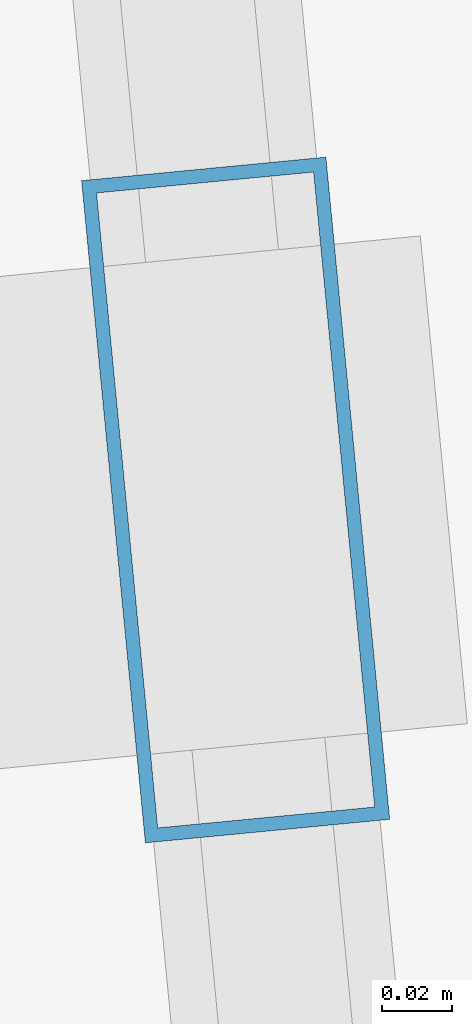
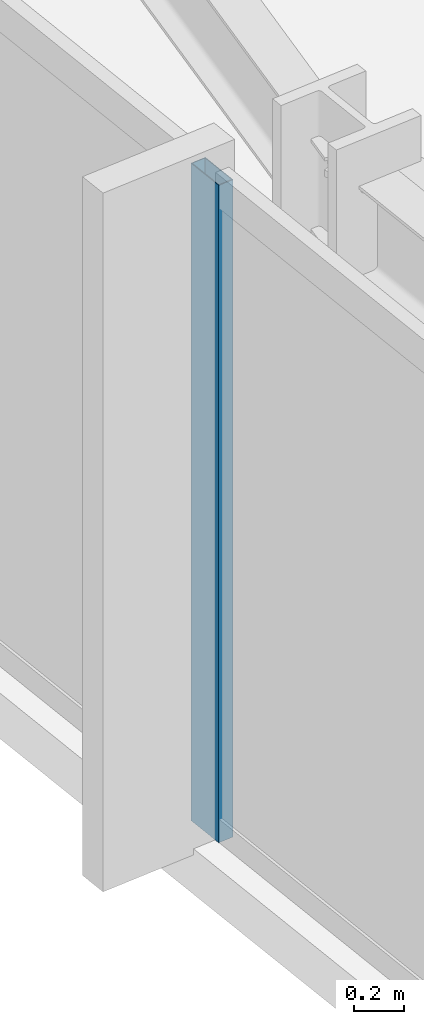
# One storey, part 8 of 32: 1 member, 1 element without a shape of its own.
"""IFC4 building model written with IfcOpenShell, lengths in metres."""

from ifc_helpers import new_model, si_unit, direction, frame, origin, origin_2d, place, context, subcontext, project, spatial, hollow_rectangle, extrude, material, material_profile, profile_set, type_object, element, aggregate, save


model = new_model("IFC4")

# Units and contexts
model_context = context("Model", 3, precision=1e-05, world=origin(), true_north=direction((0.0, 1.0)))
body_context = subcontext(model_context, "Body", "Model", "MODEL_VIEW")
ifc_project = project(units=[si_unit("LENGTHUNIT", "METRE"), si_unit("AREAUNIT", "SQUARE_METRE"), si_unit("VOLUMEUNIT", "CUBIC_METRE"), si_unit("PLANEANGLEUNIT", "RADIAN"), si_unit("MASSUNIT", "GRAM", prefix="KILO")], contexts=[model_context])

# Site, building, storey
site_placement = place(None, origin())
site = spatial("IfcSite", under=ifc_project, at=site_placement, CompositionType="ELEMENT")
building_placement = place(site_placement, origin())
building = spatial("IfcBuilding", under=site, at=building_placement, Name="Yelkora Congress Tower", CompositionType="ELEMENT")
storey_placement = place(building_placement, frame((0.0, 0.0, 96.5)))
storey = spatial("IfcBuildingStorey", under=building, at=storey_placement, Name="L25", CompositionType="ELEMENT", Elevation=96.5)

# Curtain wall, member
ifc_material_1 = material(Name="Anodised aluminium and insulated glass", Category="aluminium")
curtain_wall_type = type_object("IfcCurtainWallType", Name="CW-SYS-B2", PredefinedType="NOTDEFINED", material=ifc_material_1)
curtain_wall_placement = place(storey_placement, origin())
curtain_wall = element("IfcCurtainWall", 1, at=curtain_wall_placement, inside=storey, type_object=curtain_wall_type, Name="L25 Unitised Curtain Wall 5", PredefinedType="NOTDEFINED")
ifc_material_2 = material(Name="Anodised aluminium 6063-T6", Category="aluminium")
ifc_material_profile = material_profile(ifc_material_2, hollow_rectangle(XDim=0.070068359375, YDim=0.18994140625, WallThickness=0.00390625, at=origin_2d()), Name="ALU 70x190x4")
ifc_profile_set = profile_set([ifc_material_profile], Name="Anodised aluminium 6063-T6")
member_type = type_object("IfcMemberType", Name="MEM-ML-B2", PredefinedType="MULLION", material=ifc_profile_set)
member_placement = place(storey_placement, frame((14.47021484375, 35.0341796875, 0.0), z_axis=(0.0, 0.0, 1.0), x_axis=(-0.995396507508, -0.095842541913, 0.0)))
member = element("IfcMember", 2, at=member_placement, type_object=member_type, Name="CW-B2 mullion 4", PredefinedType="MULLION", context=body_context, shape_type="SweptSolid", body=[
    extrude(hollow_rectangle(XDim=0.070068359375, YDim=0.18994140625, WallThickness=0.00390625, at=origin_2d()), origin(), (0.0, 0.0, 1.0), 3.179931640625),
])
aggregate(curtain_wall, [member])

save(model, "model.ifc")
